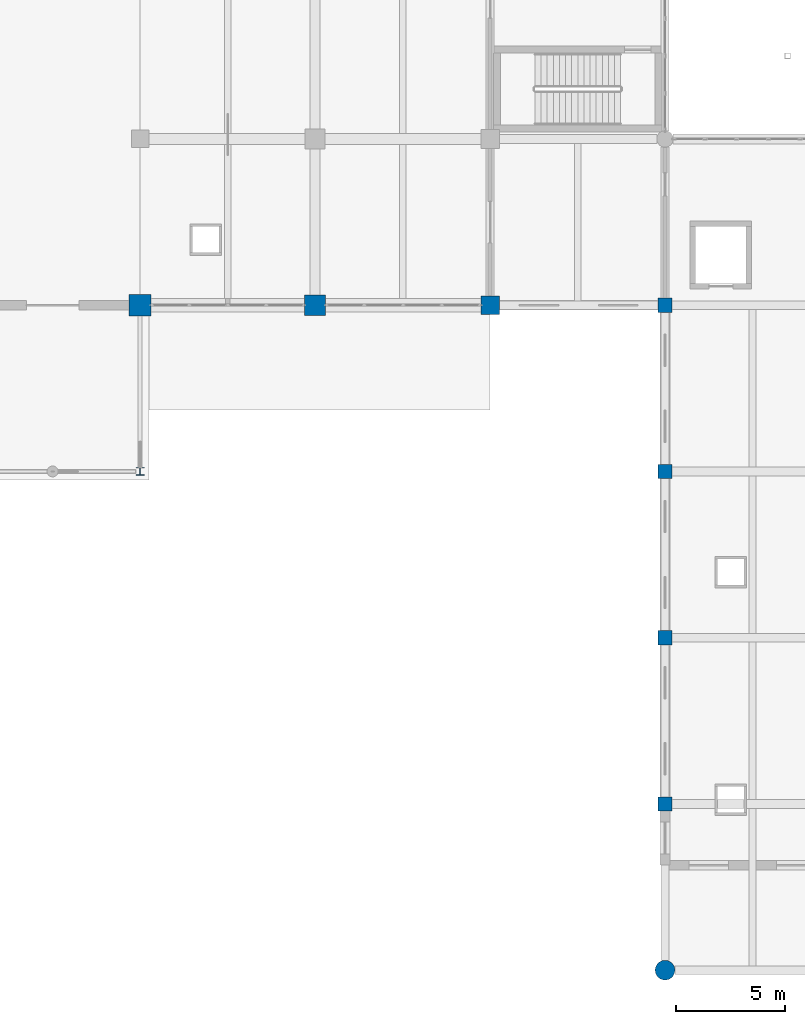
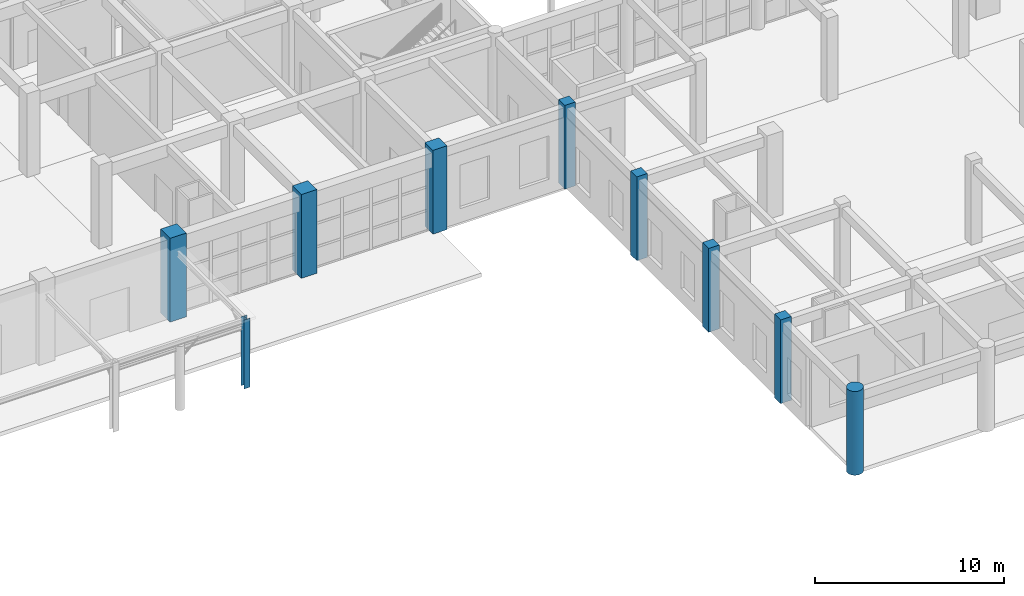
# One storey, part 3 of 95: 9 columns.
"""IFC4 building model written with IfcOpenShell, lengths in metres."""

from ifc_helpers import new_model, si_unit, direction, frame, origin, origin_2d, place, context, subcontext, project, spatial, rectangle, circle, i_section, extrude, material, material_profile, profile_set, type_object, element, save


model = new_model("IFC4")

# Units and contexts
model_context = context("Model", 3, precision=1e-05, world=origin(), true_north=direction((0.0, 1.0)))
body_context = subcontext(model_context, "Body", "Model", "MODEL_VIEW")
ifc_project = project(units=[si_unit("LENGTHUNIT", "METRE"), si_unit("AREAUNIT", "SQUARE_METRE"), si_unit("VOLUMEUNIT", "CUBIC_METRE"), si_unit("PLANEANGLEUNIT", "RADIAN"), si_unit("MASSUNIT", "GRAM", prefix="KILO")], contexts=[model_context])

# Site, building, storey
site_placement = place(None, origin())
site = spatial("IfcSite", under=ifc_project, at=site_placement, CompositionType="ELEMENT")
building_placement = place(site_placement, origin())
building = spatial("IfcBuilding", under=site, at=building_placement, Name="Zantavel Square City Hall", CompositionType="ELEMENT")
storey_placement = place(building_placement, origin())
storey = spatial("IfcBuildingStorey", under=building, at=storey_placement, Name="L01", CompositionType="ELEMENT", Elevation=0.0)

# Columns
ifc_material_1 = material(Name="Steel ASTM A992 Grade 50", Category="steel")
ifc_material_profile_1 = material_profile(ifc_material_1, i_section(OverallWidth=0.368896484375, OverallDepth=0.35595703125, WebThickness=0.01123046875, FlangeThickness=0.01806640625, at=origin_2d()), Name="W360x134")
ifc_profile_set_1 = profile_set([ifc_material_profile_1], Name="Steel ASTM A992 Grade 50")
column_type_1 = type_object("IfcColumnType", Name="Canopy Steel Column W360x134", PredefinedType="COLUMN", material=ifc_profile_set_1)
column_1_placement = place(storey_placement, frame((96.0, 22.800048828125, 0.0), z_axis=(0.0, 0.0, 1.0), x_axis=(1.0, 0.0, 0.0)))
element("IfcColumn", 1, at=column_1_placement, inside=storey, type_object=column_type_1, Name="L01 Entrance Canopy Column 96", PredefinedType="COLUMN", context=body_context, shape_type="SweptSolid", body=[
    extrude(i_section(OverallWidth=0.368896484375, OverallDepth=0.35595703125, WebThickness=0.01123046875, FlangeThickness=0.01806640625, at=origin_2d()), origin(), (0.0, 0.0, 1.0), 4.43994140625),
])
ifc_material_2 = material(Name="Concrete C40/50", Category="concrete")
ifc_material_profile_2 = material_profile(ifc_material_2, rectangle(XDim=1.0, YDim=1.0, at=origin_2d()), Name="RC 1000x1000")
ifc_profile_set_2 = profile_set([ifc_material_profile_2], Name="Concrete C40/50")
column_type_2 = type_object("IfcColumnType", Name="Column RC 1000x1000 C40/50", PredefinedType="COLUMN", material=ifc_profile_set_2)
column_2_placement = place(storey_placement, frame((96.0, 30.39990234375, 0.0), z_axis=(0.0, 0.0, 1.0), x_axis=(1.0, 0.0, 0.0)))
element("IfcColumn", 2, at=column_2_placement, inside=storey, type_object=column_type_2, Name="L01 Column COL-L01-0960-0304", PredefinedType="COLUMN", context=body_context, shape_type="SweptSolid", body=[
    extrude(rectangle(XDim=1.0, YDim=1.0, at=origin_2d()), origin(), (0.0, 0.0, 1.0), 5.39990234375),
])
ifc_material_profile_3 = material_profile(ifc_material_2, rectangle(XDim=0.64990234375, YDim=0.64990234375, at=origin_2d()), Name="RC 650x650")
ifc_profile_set_3 = profile_set([ifc_material_profile_3], Name="Concrete C40/50")
column_type_3 = type_object("IfcColumnType", Name="Column RC 650x650 C40/50", PredefinedType="COLUMN", material=ifc_profile_set_3)
for number, where, z_axis, x_axis, name in (
    (3, (120.0, 7.60009765625, 0.0), (0.0, 0.0, 1.0), (1.0, 0.0, 0.0), "L01 Column COL-L01-1200-0076"),
    (4, (120.0, 15.199951171875, 0.0), (0.0, 0.0, 1.0), (1.0, 0.0, 0.0), "L01 Column COL-L01-1200-0152"),
    (5, (120.0, 22.800048828125, 0.0), (0.0, 0.0, 1.0), (1.0, 0.0, 0.0), "L01 Column COL-L01-1200-0228"),
    (6, (120.0, 30.39990234375, 0.0), (0.0, 0.0, 1.0), (1.0, 0.0, 0.0), "L01 Column COL-L01-1200-0304"),
):
    element("IfcColumn", number, at=place(storey_placement, frame(where, z_axis=z_axis, x_axis=x_axis)), inside=storey, type_object=column_type_3, Name=name, PredefinedType="COLUMN", context=body_context, shape_type="SweptSolid", body=[
        extrude(rectangle(XDim=0.64990234375, YDim=0.64990234375, at=origin_2d()), origin(), (0.0, 0.0, 1.0), 5.39990234375),
    ])
ifc_material_profile_4 = material_profile(ifc_material_2, rectangle(XDim=0.85009765625, YDim=0.85009765625, at=origin_2d()), Name="RC 850x850")
ifc_profile_set_4 = profile_set([ifc_material_profile_4], Name="Concrete C40/50")
column_type_4 = type_object("IfcColumnType", Name="Column RC 850x850 C40/50", PredefinedType="COLUMN", material=ifc_profile_set_4)
column_3_placement = place(storey_placement, frame((112.0, 30.39990234375, 0.0), z_axis=(0.0, 0.0, 1.0), x_axis=(1.0, 0.0, 0.0)))
element("IfcColumn", 7, at=column_3_placement, inside=storey, type_object=column_type_4, Name="L01 Column COL-L01-1120-0304", PredefinedType="COLUMN", context=body_context, shape_type="SweptSolid", body=[
    extrude(rectangle(XDim=0.85009765625, YDim=0.85009765625, at=origin_2d()), origin(), (0.0, 0.0, 1.0), 5.39990234375),
])
ifc_material_profile_5 = material_profile(ifc_material_2, circle(Radius=0.449951171875, at=origin_2d()), Name="ROUND D900")
ifc_profile_set_5 = profile_set([ifc_material_profile_5], Name="Concrete C40/50")
column_type_5 = type_object("IfcColumnType", Name="Portales Tuscan Column D900 C40/50", PredefinedType="COLUMN", material=ifc_profile_set_5)
column_4_placement = place(storey_placement, frame((120.0, 0.0, 0.0), z_axis=(0.0, 0.0, 1.0), x_axis=(1.0, 0.0, 0.0)))
element("IfcColumn", 8, at=column_4_placement, inside=storey, type_object=column_type_5, Name="L01 Column COL-L01-1200-0000", PredefinedType="COLUMN", context=body_context, shape_type="SweptSolid", body=[
    extrude(circle(Radius=0.449951171875, at=origin_2d()), origin(), (0.0, 0.0, 1.0), 5.39990234375),
])
ifc_material_profile_6 = material_profile(ifc_material_2, rectangle(XDim=0.949951171875, YDim=0.949951171875, at=origin_2d()), Name="RC 950x950")
ifc_profile_set_6 = profile_set([ifc_material_profile_6], Name="Concrete C40/50")
column_type_6 = type_object("IfcColumnType", Name="Vault Corner Pier Column RC 950x950 C40/50", PredefinedType="COLUMN", material=ifc_profile_set_6)
column_5_placement = place(storey_placement, frame((104.0, 30.39990234375, 0.0), z_axis=(0.0, 0.0, 1.0), x_axis=(1.0, 0.0, 0.0)))
element("IfcColumn", 9, at=column_5_placement, inside=storey, type_object=column_type_6, Name="L01 Column COL-L01-1040-0304", PredefinedType="COLUMN", context=body_context, shape_type="SweptSolid", body=[
    extrude(rectangle(XDim=0.949951171875, YDim=0.949951171875, at=origin_2d()), origin(), (0.0, 0.0, 1.0), 5.39990234375),
])

save(model, "model.ifc")
